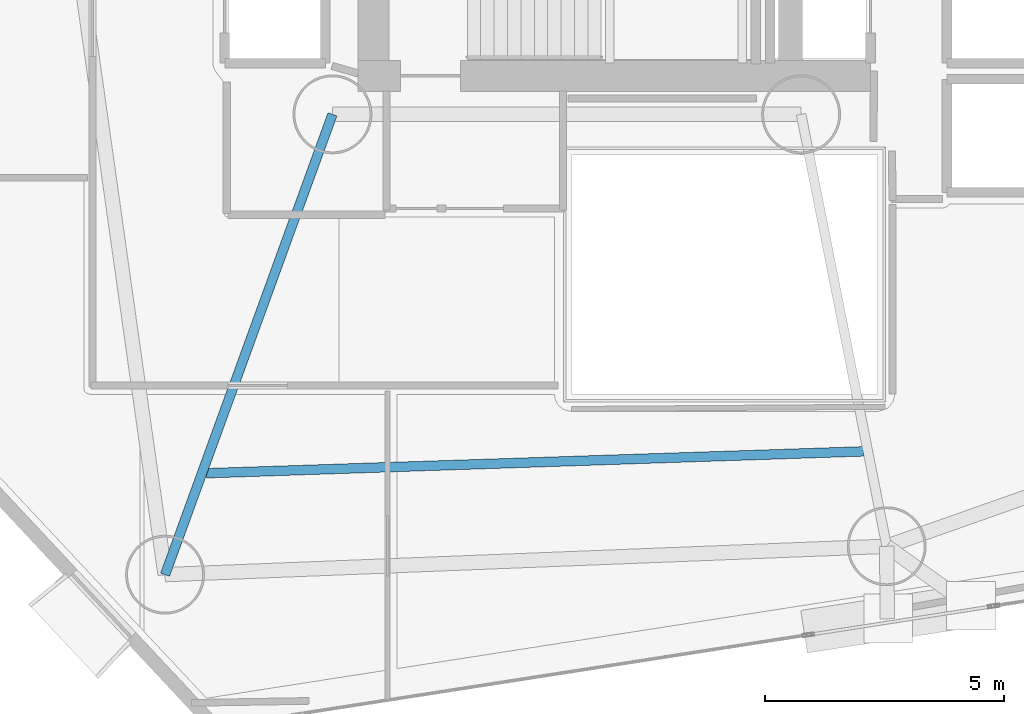
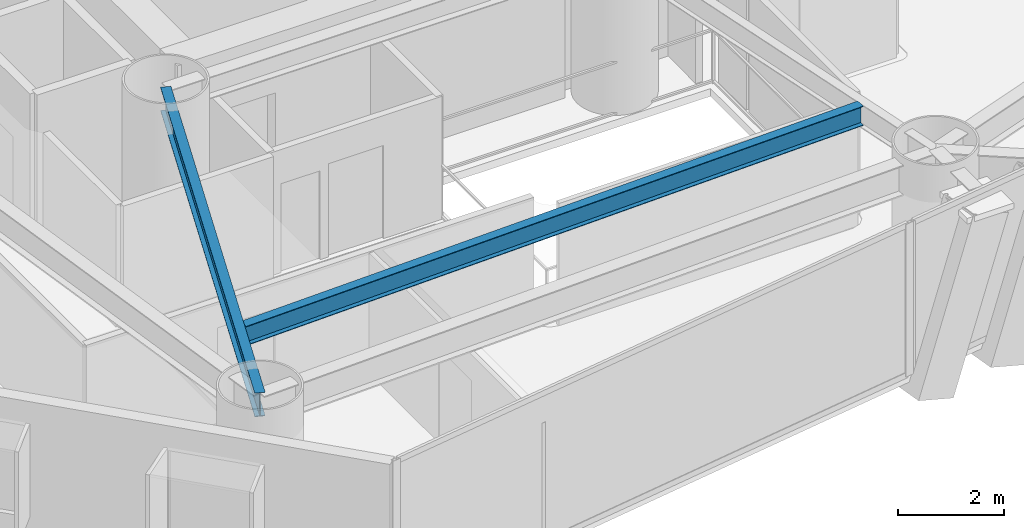
# One storey, part 3 of 23: 2 beams.
"""IFC4 building model written with IfcOpenShell, lengths in metres."""

import ifcopenshell
import ifcopenshell.guid

model = None  # the IFC model being written
_history = None  # IfcOwnerHistory: only IFC2X3 demands one
_inside = {}  # id of a spatial element -> (the spatial element, [elements in it])
_under = {}  # id of a project, library or spatial element -> (it, [spatial elements below it])
_declared = {}  # id of a project -> (the project, [libraries it declares])
_typed = {}  # id of a type object -> (the type object, [elements of that type])
_made_of = {}  # id of a material, layer set ... -> (it, [elements and type objects made of it])


def new_model(schema):
    """Start an empty IFC model of exactly this schema.

    Asked for "IFC4X3", IfcOpenShell would pick the latest addendum, in which some entities
    have other attributes; the version numbers below select the first issue.
    IFC2X3 requires an IfcOwnerHistory on every rooted entity: one is made here for all.
    """
    global model, _history
    if schema == "IFC4X3":
        model = ifcopenshell.file(schema_version=(4, 3, 0, 0))
    else:
        model = ifcopenshell.file(schema=schema)
    _inside.clear()
    _under.clear()
    _declared.clear()
    _typed.clear()
    _made_of.clear()
    _history = None
    if model.schema == "IFC2X3":
        org = make("IfcOrganization", Name="unknown")
        user = make(
            "IfcPersonAndOrganization",
            ThePerson=make("IfcPerson", FamilyName="unknown"),
            TheOrganization=org,
        )
        app = make(
            "IfcApplication",
            ApplicationDeveloper=org,
            Version="unknown",
            ApplicationFullName="unknown",
            ApplicationIdentifier="unknown",
        )
        _history = make(
            "IfcOwnerHistory",
            OwningUser=user,
            OwningApplication=app,
            ChangeAction="ADDED",
            CreationDate=0,
        )
    return model


def make(cls, **values):
    """One entity of the class cls with the attributes given. An attribute that is None is left unset."""
    return model.create_entity(
        cls, **{name: value for name, value in values.items() if value is not None}
    )


def rooted(cls, **values):
    """An entity with a GlobalId (a new one), such as an element, a storey or a relation."""
    return make(cls, GlobalId=ifcopenshell.guid.new(), OwnerHistory=_history, **values)


def si_unit(unit_type, name, prefix=None):
    """IfcSIUnit, for example si_unit("LENGTHUNIT", "METRE", prefix="MILLI")."""
    return make("IfcSIUnit", UnitType=unit_type, Prefix=prefix, Name=name)


def assignment(units):
    """IfcUnitAssignment: the units of a project."""
    return None if units is None else make("IfcUnitAssignment", Units=units)


def point(xyz):
    """IfcCartesianPoint."""
    return None if xyz is None else make("IfcCartesianPoint", Coordinates=xyz)


def direction(xyz):
    """IfcDirection."""
    return None if xyz is None else make("IfcDirection", DirectionRatios=xyz)


def frame(location, z_axis=None, x_axis=None):
    """IfcAxis2Placement3D, a coordinate frame: its origin and axes. An axis left out is left unset."""
    return make(
        "IfcAxis2Placement3D",
        Location=point(location),
        Axis=direction(z_axis),
        RefDirection=direction(x_axis),
    )


def frame_2d(location, x_axis=None):
    """IfcAxis2Placement2D, a coordinate frame in the plane: its origin and x axis."""
    return make(
        "IfcAxis2Placement2D", Location=point(location), RefDirection=direction(x_axis)
    )


def origin():
    """The frame at (0, 0, 0) with its axes left unset."""
    return frame((0.0, 0.0, 0.0))


def origin_2d():
    """The frame at (0, 0) in the plane with its x axis left unset."""
    return frame_2d((0.0, 0.0))


def place(relative_to, where):
    """IfcLocalPlacement: puts the frame where relative to a parent placement (None: the world)."""
    return make(
        "IfcLocalPlacement", PlacementRelTo=relative_to, RelativePlacement=where
    )


def context(
    kind, dimensions, precision=None, world=None, true_north=None, identifier=None
):
    """IfcGeometricRepresentationContext, for example the 3D "Model" context."""
    return make(
        "IfcGeometricRepresentationContext",
        ContextIdentifier=identifier,
        ContextType=kind,
        CoordinateSpaceDimension=dimensions,
        Precision=precision,
        WorldCoordinateSystem=world,
        TrueNorth=true_north,
    )


def subcontext(parent, identifier, kind, view, scale=None):
    """IfcGeometricRepresentationSubContext, for example "Body" below "Model"."""
    return make(
        "IfcGeometricRepresentationSubContext",
        ContextIdentifier=identifier,
        ContextType=kind,
        ParentContext=parent,
        TargetScale=scale,
        TargetView=view,
    )


def project(units=None, contexts=None):
    """IfcProject with its units and contexts."""
    return rooted(
        "IfcProject",
        Name="project",
        RepresentationContexts=contexts,
        UnitsInContext=assignment(units),
    )


def spatial(cls, under=None, at=None, **own):
    """A site, building, storey or space (cls), placed at a placement, below another one or the project."""
    s = rooted(cls, ObjectPlacement=at, **own)
    if under is not None:
        _under.setdefault(under.id(), (under, []))[1].append(s)
    return s


def profile(cls, at=None, kind="AREA", **sizes):
    """A parametric profile (cls). Its sizes go by their IFC names, for example OverallWidth=200.0."""
    return make(cls, ProfileType=kind, Position=at, **sizes)


def i_section(**sizes):
    """IfcIShapeProfileDef."""
    return profile("IfcIShapeProfileDef", **sizes)


def extrude(swept, where, along, depth):
    """IfcExtrudedAreaSolid: the profile swept, set in the frame where, extruded along a direction by depth."""
    return make(
        "IfcExtrudedAreaSolid",
        SweptArea=swept,
        Position=where,
        ExtrudedDirection=direction(along),
        Depth=depth,
    )


def shape(context_of_items, identifier, shape_type, items):
    """IfcShapeRepresentation: the items that make up one representation, for example the "Body"."""
    return make(
        "IfcShapeRepresentation",
        ContextOfItems=context_of_items,
        RepresentationIdentifier=identifier,
        RepresentationType=shape_type,
        Items=items,
    )


def material(Name=None, Category=None):
    """IfcMaterial."""
    return make("IfcMaterial", Name=Name, Category=Category)


def material_profile(
    of_material, cross_section, Name=None, Category=None, Priority=None
):
    """IfcMaterialProfile: a cross section and its material."""
    return make(
        "IfcMaterialProfile",
        Name=Name,
        Material=of_material,
        Profile=cross_section,
        Priority=Priority,
        Category=Category,
    )


def profile_set(profiles, Name=None, composite=None):
    """IfcMaterialProfileSet."""
    return make(
        "IfcMaterialProfileSet",
        Name=Name,
        MaterialProfiles=profiles,
        CompositeProfile=composite,
    )


def made_of(thing, what):
    """Note that an element or type object is made of a material, layer set ...; save() writes the relation."""
    if what is not None:
        _made_of.setdefault(what.id(), (what, []))[1].append(thing)
    return thing


def type_object(cls, material=None, **own):
    """A type object (cls), such as IfcWallType, which elements share."""
    return made_of(rooted(cls, **own), material)


def element(
    cls,
    number,
    at=None,
    inside=None,
    cuts=None,
    type_object=None,
    material=None,
    context=None,
    identifier="Body",
    shape_type=None,
    held_by="IfcProductDefinitionShape",
    body=None,
    shapes=None,
    **own,
):
    """One element of the class cls, such as IfcWall. Its Tag is "e" and its number.

    at: its placement. inside: the storey or other place that contains it. cuts: it is an
    opening in that element (IfcRelVoidsElement). A single representation is given by context,
    identifier, shape_type and body (its items); several are given by shapes. held_by: the class
    of the entity that holds the representations. save() writes the other relations.
    """
    e = rooted(cls, Tag="e%d" % number, ObjectPlacement=at, **own)
    if body is not None:
        shapes = [shape(context, identifier, shape_type, body)]
    if shapes is not None:
        e.Representation = make(held_by, Representations=shapes)
    if inside is not None:
        _inside.setdefault(inside.id(), (inside, []))[1].append(e)
    if cuts is not None:
        rooted(
            "IfcRelVoidsElement", RelatingBuildingElement=cuts, RelatedOpeningElement=e
        )
    if type_object is not None:
        _typed.setdefault(type_object.id(), (type_object, []))[1].append(e)
    return made_of(e, material)


def aggregate(whole, parts):
    """IfcRelAggregates: a whole, such as a stair, and the parts it consists of."""
    return rooted("IfcRelAggregates", RelatingObject=whole, RelatedObjects=parts)


def save(model, path):
    """Write the relations noted so far, then the file.

    IfcRelAggregates (storeys below a building ...), IfcRelContainedInSpatialStructure (elements
    in a storey), IfcRelDefinesByType, IfcRelAssociatesMaterial and IfcRelDeclares: one each for
    every whole, place, type object, material and project.
    """
    for whole, parts in _under.values():
        aggregate(whole, parts)
    for where, things in _inside.values():
        rooted(
            "IfcRelContainedInSpatialStructure",
            RelatedElements=things,
            RelatingStructure=where,
        )
    for kind, things in _typed.values():
        rooted("IfcRelDefinesByType", RelatedObjects=things, RelatingType=kind)
    for what, things in _made_of.values():
        rooted("IfcRelAssociatesMaterial", RelatedObjects=things, RelatingMaterial=what)
    for by, libraries in _declared.values():
        rooted("IfcRelDeclares", RelatingContext=by, RelatedDefinitions=libraries)
    model.write(path)


model = new_model("IFC4")

# Units and contexts
model_context = context("Model", 3, precision=1e-05, world=origin(), true_north=direction((0.0, 1.0)))
body_context = subcontext(model_context, "Body", "Model", "MODEL_VIEW")
ifc_project = project(units=[si_unit("LENGTHUNIT", "METRE"), si_unit("AREAUNIT", "SQUARE_METRE"), si_unit("VOLUMEUNIT", "CUBIC_METRE"), si_unit("PLANEANGLEUNIT", "RADIAN"), si_unit("MASSUNIT", "GRAM", prefix="KILO")], contexts=[model_context])

# Site, building, storey
site_placement = place(None, origin())
site = spatial("IfcSite", under=ifc_project, at=site_placement, CompositionType="ELEMENT")
building_placement = place(site_placement, origin())
building = spatial("IfcBuilding", under=site, at=building_placement, Name="Qianvela Tower", CompositionType="ELEMENT")
storey_placement = place(building_placement, frame((0.0, 0.0, 78.39990234375)))
storey = spatial("IfcBuildingStorey", under=building, at=storey_placement, Name="L19", CompositionType="ELEMENT", Elevation=78.39990234375)

# Beams
ifc_material_1 = material(Name="Steel Q355B", Category="steel")
ifc_material_profile_1 = material_profile(ifc_material_1, i_section(OverallWidth=0.199951171875, OverallDepth=0.449951171875, WebThickness=0.009033203125, FlangeThickness=0.013916015625, at=origin_2d()), Name="HN450x200x9x14")
ifc_profile_set_1 = profile_set([ifc_material_profile_1], Name="Steel Q355B")
beam_type_1 = type_object("IfcBeamType", Name="BM-HN450-JOIST", PredefinedType="JOIST", material=ifc_profile_set_1)
beam_1_placement = place(storey_placement, frame((25.9658203125, 16.345703125, 3.293212890625), z_axis=(0.999447329793, 0.033242066273, 0.0), x_axis=(-0.033242066273, 0.999447329793, 0.0)))
element("IfcBeam", 1, at=beam_1_placement, inside=storey, type_object=beam_type_1, Name="L19 Secondary Composite Floor Joist 5.3", PredefinedType="JOIST", context=body_context, shape_type="SweptSolid", body=[
    extrude(i_section(OverallWidth=0.199951171875, OverallDepth=0.449951171875, WebThickness=0.009033203125, FlangeThickness=0.013916015625, at=origin_2d()), origin(), (0.0, 0.0, 1.0), 13.7412109375),
])
ifc_material_2 = material(Name="Steel Q355B", Category="steel")
ifc_material_profile_2 = material_profile(ifc_material_2, i_section(OverallWidth=0.199951171875, OverallDepth=0.550048828125, WebThickness=0.010009765625, FlangeThickness=0.01611328125, at=origin_2d()), Name="HN550x200x10x16")
ifc_profile_set_2 = profile_set([ifc_material_profile_2], Name="Steel Q355B")
beam_type_2 = type_object("IfcBeamType", Name="BM-HN550-GIRD", PredefinedType="BEAM", material=ifc_profile_set_2)
beam_2_placement = place(storey_placement, frame((28.60009765625, 23.85009765625, 3.2431640625), z_axis=(-0.341743063087, -0.939793423488, 0.0), x_axis=(0.939793423488, -0.341743063087, 0.0)))
element("IfcBeam", 2, at=beam_2_placement, inside=storey, type_object=beam_type_2, Name="L19 Radial Primary Floor Girder 5", PredefinedType="BEAM", context=body_context, shape_type="SweptSolid", body=[
    extrude(i_section(OverallWidth=0.199951171875, OverallDepth=0.550048828125, WebThickness=0.010009765625, FlangeThickness=0.01611328125, at=origin_2d()), origin(), (0.0, 0.0, 1.0), 10.24169921875),
])

save(model, "model.ifc")
